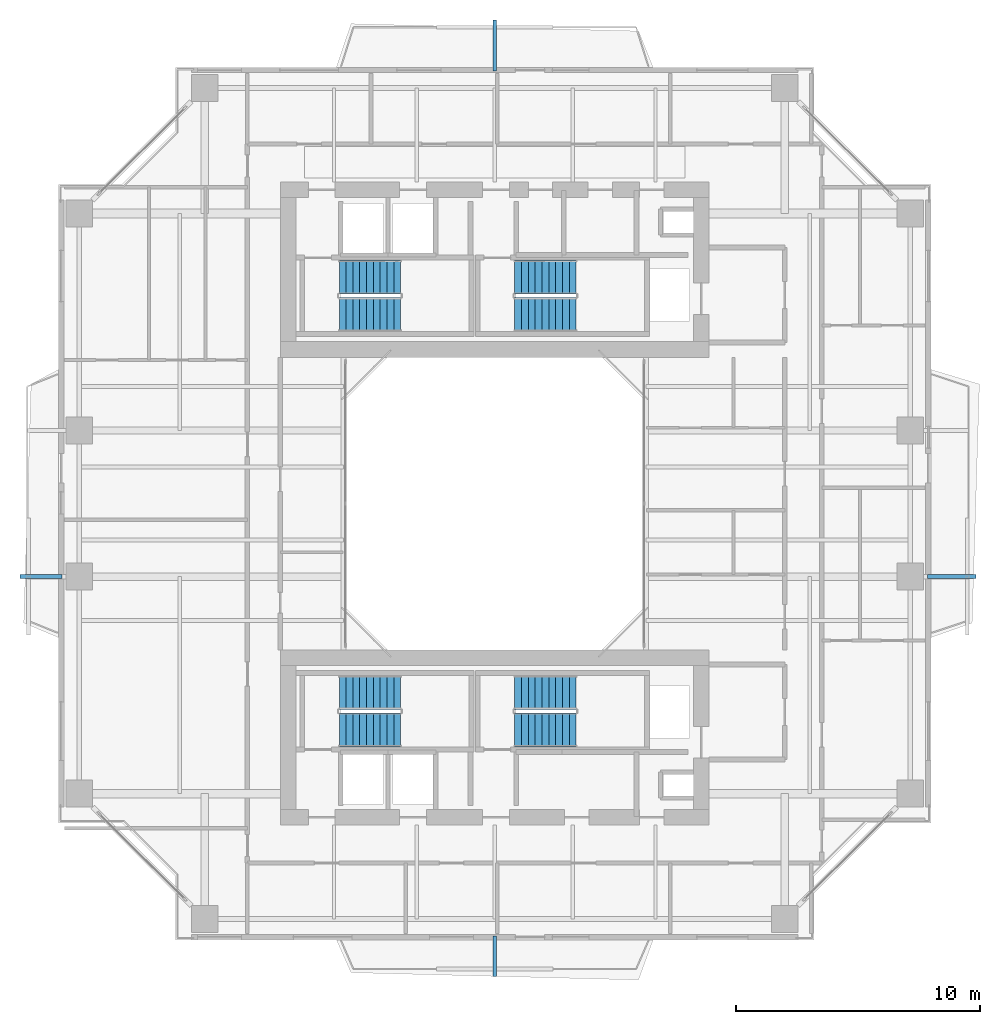
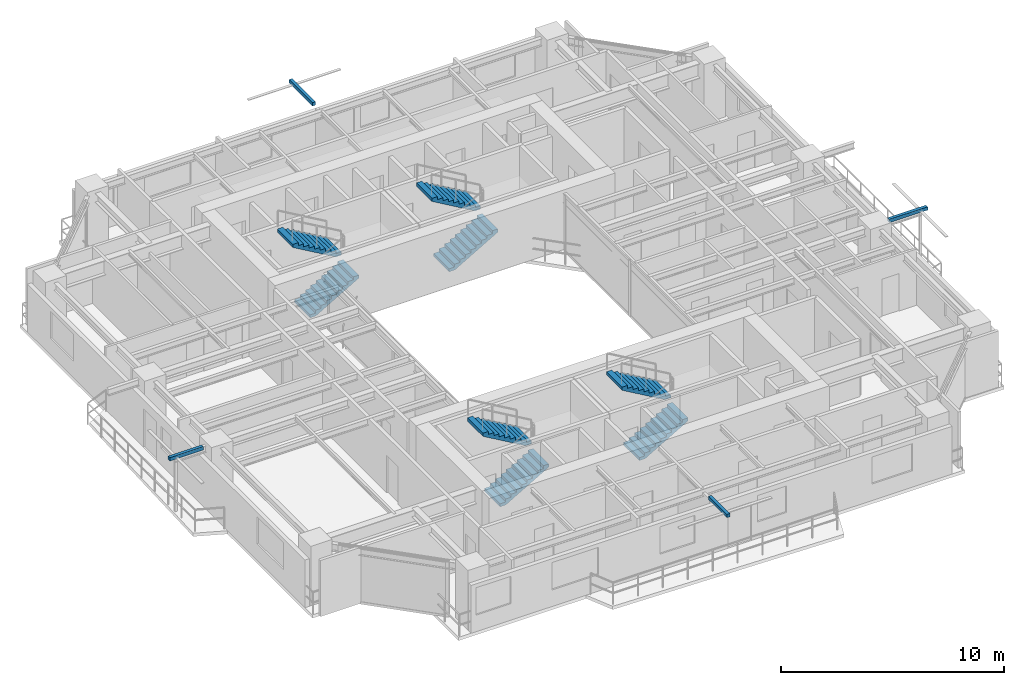
# One storey, part 14 of 17: 8 stair flights, 4 discrete accessories, 4 elements without a shape of their own.
"""IFC4 building model written with IfcOpenShell, lengths in metres."""

from ifc_helpers import new_model, si_unit, direction, frame, origin, origin_2d, place, context, subcontext, project, spatial, polyline, rectangle, outline, extrude, source, transform, mapped, material, type_object, element, aggregate, save


model = new_model("IFC4")

# Units and contexts
model_context = context("Model", 3, precision=1e-05, world=origin(), true_north=direction((0.0, 1.0)))
body_context = subcontext(model_context, "Body", "Model", "MODEL_VIEW")
ifc_project = project(units=[si_unit("LENGTHUNIT", "METRE"), si_unit("AREAUNIT", "SQUARE_METRE"), si_unit("VOLUMEUNIT", "CUBIC_METRE"), si_unit("PLANEANGLEUNIT", "RADIAN"), si_unit("MASSUNIT", "GRAM", prefix="KILO"), si_unit("THERMODYNAMICTEMPERATUREUNIT", "KELVIN"), si_unit("POWERUNIT", "WATT")], contexts=[model_context])

# Site, building, storey
site_placement = place(None, origin())
site = spatial("IfcSite", under=ifc_project, at=site_placement, CompositionType="ELEMENT")
building_placement = place(site_placement, origin())
building = spatial("IfcBuilding", under=site, at=building_placement, Name="Qiaomeng Ring Towers", CompositionType="ELEMENT")
storey_placement = place(building_placement, frame((0.0, 0.0, 116.5)))
storey = spatial("IfcBuildingStorey", under=building, at=storey_placement, Name="L33", CompositionType="ELEMENT", Elevation=116.5)

# Stair, stair flights
ifc_material_1 = material(Name="Precast concrete C40", Category="concrete")
stair_type = type_object("IfcStairType", Name="ARC-ST-325", PredefinedType="HALF_TURN_STAIR", material=ifc_material_1)
stair_1_placement = place(storey_placement, origin())
stair_1 = element("IfcStair", 1, at=stair_1_placement, inside=storey, type_object=stair_type, Name="L33 Tower 1 North Stair 1", PredefinedType="HALF_TURN_STAIR")
stair_flight_type = type_object("IfcStairFlightType", Name="ARC-ST-325-FL", PredefinedType="STRAIGHT", material=ifc_material_1)
shared_shape_1 = source(origin(), body_context, "Body", "SweptSolid", [
    extrude(outline(polyline([(0.0, 0.0), (0.0, 0.16259765625), (0.280029296875, 0.16259765625), (0.280029296875, 0.324951171875), (0.56005859375, 0.324951171875), (0.56005859375, 0.487548828125), (0.840087890625, 0.487548828125), (0.840087890625, 0.64990234375), (1.1201171875, 0.64990234375), (1.1201171875, 0.8125), (1.39990234375, 0.8125), (1.39990234375, 0.97509765625), (1.679931640625, 0.97509765625), (1.679931640625, 1.137451171875), (1.9599609375, 1.137451171875), (1.9599609375, 1.300048828125), (2.239990234375, 1.300048828125), (2.239990234375, 1.46240234375), (2.52001953125, 1.46240234375), (2.52001953125, 1.625), (2.52001953125, 1.2890625), (0.298583984375, 0.0), (0.0, 0.0)])), frame((0.0, 0.699951171875, 0.0), z_axis=(0.0, -1.0, 0.0), x_axis=(1.0, 0.0, 0.0)), (0.0, 0.0, 1.0), 1.39990234375),
])
stair_flight_1_placement = place(storey_placement, frame((12.6201171875, 30.75, 0.0), z_axis=(0.0, 0.0, 1.0), x_axis=(1.0, 0.0, 0.0)))
stair_flight_1 = element("IfcStairFlight", 2, at=stair_flight_1_placement, type_object=stair_flight_type, Name="ST1 flight 1", NumberOfRisers=10, NumberOfTreads=9, PredefinedType="STRAIGHT", RiserHeight=0.1625, TreadLength=0.28, context=body_context, shape_type="MappedRepresentation", body=[
    mapped(shared_shape_1, transform((0.0, 0.0, 0.0), x_axis=(1.0, 0.0, 0.0), y_axis=(0.0, 1.0, 0.0), z_axis=(0.0, 0.0, 1.0), scale=1.0)),
])
stair_flight_2_placement = place(storey_placement, frame((15.139892578125, 32.2900390625, 1.625), z_axis=(0.0, 0.0, 1.0), x_axis=(-1.0, 0.0, 0.0)))
stair_flight_2 = element("IfcStairFlight", 3, at=stair_flight_2_placement, type_object=stair_flight_type, Name="ST1 flight 2", NumberOfRisers=10, NumberOfTreads=9, PredefinedType="STRAIGHT", RiserHeight=0.1625, TreadLength=0.28, context=body_context, shape_type="MappedRepresentation", body=[
    mapped(shared_shape_1, transform((0.0, 0.0, 0.0), x_axis=(1.0, 0.0, 0.0), y_axis=(0.0, 1.0, 0.0), z_axis=(0.0, 0.0, 1.0), scale=1.0)),
])
aggregate(stair_1, [stair_flight_1, stair_flight_2])

stair_2_placement = place(storey_placement, origin())
stair_2 = element("IfcStair", 4, at=stair_2_placement, inside=storey, type_object=stair_type, Name="L33 Tower 1 North Stair 2", PredefinedType="HALF_TURN_STAIR")
stair_flight_3_placement = place(storey_placement, frame((19.820068359375, 30.75, 0.0), z_axis=(0.0, 0.0, 1.0), x_axis=(1.0, 0.0, 0.0)))
stair_flight_3 = element("IfcStairFlight", 5, at=stair_flight_3_placement, type_object=stair_flight_type, Name="ST2 flight 1", NumberOfRisers=10, NumberOfTreads=9, PredefinedType="STRAIGHT", RiserHeight=0.1625, TreadLength=0.28, context=body_context, shape_type="MappedRepresentation", body=[
    mapped(shared_shape_1, transform((0.0, 0.0, 0.0), x_axis=(1.0, 0.0, 0.0), y_axis=(0.0, 1.0, 0.0), z_axis=(0.0, 0.0, 1.0), scale=1.0)),
])
stair_flight_4_placement = place(storey_placement, frame((22.340087890625, 32.2900390625, 1.625), z_axis=(0.0, 0.0, 1.0), x_axis=(-1.0, 0.0, 0.0)))
stair_flight_4 = element("IfcStairFlight", 6, at=stair_flight_4_placement, type_object=stair_flight_type, Name="ST2 flight 2", NumberOfRisers=10, NumberOfTreads=9, PredefinedType="STRAIGHT", RiserHeight=0.1625, TreadLength=0.28, context=body_context, shape_type="MappedRepresentation", body=[
    mapped(shared_shape_1, transform((0.0, 0.0, 0.0), x_axis=(1.0, 0.0, 0.0), y_axis=(0.0, 1.0, 0.0), z_axis=(0.0, 0.0, 1.0), scale=1.0)),
])
aggregate(stair_2, [stair_flight_3, stair_flight_4])

stair_3_placement = place(storey_placement, origin())
stair_3 = element("IfcStair", 7, at=stair_3_placement, inside=storey, type_object=stair_type, Name="L33 Tower 1 South Stair 3", PredefinedType="HALF_TURN_STAIR")
stair_flight_5_placement = place(storey_placement, frame((12.6201171875, 13.7099609375, 0.0), z_axis=(0.0, 0.0, 1.0), x_axis=(1.0, 0.0, 0.0)))
stair_flight_5 = element("IfcStairFlight", 8, at=stair_flight_5_placement, type_object=stair_flight_type, Name="ST3 flight 1", NumberOfRisers=10, NumberOfTreads=9, PredefinedType="STRAIGHT", RiserHeight=0.1625, TreadLength=0.28, context=body_context, shape_type="MappedRepresentation", body=[
    mapped(shared_shape_1, transform((0.0, 0.0, 0.0), x_axis=(1.0, 0.0, 0.0), y_axis=(0.0, 1.0, 0.0), z_axis=(0.0, 0.0, 1.0), scale=1.0)),
])
stair_flight_6_placement = place(storey_placement, frame((15.139892578125, 15.25, 1.625), z_axis=(0.0, 0.0, 1.0), x_axis=(-1.0, 0.0, 0.0)))
stair_flight_6 = element("IfcStairFlight", 9, at=stair_flight_6_placement, type_object=stair_flight_type, Name="ST3 flight 2", NumberOfRisers=10, NumberOfTreads=9, PredefinedType="STRAIGHT", RiserHeight=0.1625, TreadLength=0.28, context=body_context, shape_type="MappedRepresentation", body=[
    mapped(shared_shape_1, transform((0.0, 0.0, 0.0), x_axis=(1.0, 0.0, 0.0), y_axis=(0.0, 1.0, 0.0), z_axis=(0.0, 0.0, 1.0), scale=1.0)),
])
aggregate(stair_3, [stair_flight_5, stair_flight_6])

stair_4_placement = place(storey_placement, origin())
stair_4 = element("IfcStair", 10, at=stair_4_placement, inside=storey, type_object=stair_type, Name="L33 Tower 1 South Stair 4", PredefinedType="HALF_TURN_STAIR")
stair_flight_7_placement = place(storey_placement, frame((19.820068359375, 13.7099609375, 0.0), z_axis=(0.0, 0.0, 1.0), x_axis=(1.0, 0.0, 0.0)))
stair_flight_7 = element("IfcStairFlight", 11, at=stair_flight_7_placement, type_object=stair_flight_type, Name="ST4 flight 1", NumberOfRisers=10, NumberOfTreads=9, PredefinedType="STRAIGHT", RiserHeight=0.1625, TreadLength=0.28, context=body_context, shape_type="MappedRepresentation", body=[
    mapped(shared_shape_1, transform((0.0, 0.0, 0.0), x_axis=(1.0, 0.0, 0.0), y_axis=(0.0, 1.0, 0.0), z_axis=(0.0, 0.0, 1.0), scale=1.0)),
])
stair_flight_8_placement = place(storey_placement, frame((22.340087890625, 15.25, 1.625), z_axis=(0.0, 0.0, 1.0), x_axis=(-1.0, 0.0, 0.0)))
stair_flight_8 = element("IfcStairFlight", 12, at=stair_flight_8_placement, type_object=stair_flight_type, Name="ST4 flight 2", NumberOfRisers=10, NumberOfTreads=9, PredefinedType="STRAIGHT", RiserHeight=0.1625, TreadLength=0.28, context=body_context, shape_type="MappedRepresentation", body=[
    mapped(shared_shape_1, transform((0.0, 0.0, 0.0), x_axis=(1.0, 0.0, 0.0), y_axis=(0.0, 1.0, 0.0), z_axis=(0.0, 0.0, 1.0), scale=1.0)),
])
aggregate(stair_4, [stair_flight_7, stair_flight_8])

# Discrete accessories
ifc_material_2 = material(Name="Stainless steel 316", Category="steel")
discrete_accessory_type = type_object("IfcDiscreteAccessoryType", Name="ARC-ACC-BRACKET", PredefinedType="BRACKET", material=ifc_material_2)
shared_shape_2 = source(origin(), body_context, "Body", "SweptSolid", [
    extrude(rectangle(XDim=0.159912109375, YDim=1.64990234375, at=origin_2d()), origin(), (0.0, 0.0, 1.0), 0.179931640625),
])
discrete_accessory_1_placement = place(storey_placement, frame((19.0, 4.425048828125, 2.89990234375), z_axis=(0.0, 0.0, 1.0), x_axis=(1.0, 0.0, 0.0)))
element("IfcDiscreteAccessory", 13, at=discrete_accessory_1_placement, inside=storey, type_object=discrete_accessory_type, Name="L33 Stainless Outer-Skin Tie Bracket S", PredefinedType="BRACKET", context=body_context, shape_type="MappedRepresentation", body=[
    mapped(shared_shape_2, transform((0.0, 0.0, 0.0), x_axis=(1.0, 0.0, 0.0), y_axis=(0.0, 1.0, 0.0), z_axis=(0.0, 0.0, 1.0), scale=1.0)),
])
shared_shape_3 = source(origin(), body_context, "Body", "SweptSolid", [
    extrude(rectangle(XDim=1.989990234375, YDim=0.159912109375, at=origin_2d()), origin(), (0.0, 0.0, 1.0), 0.179931640625),
])
discrete_accessory_2_placement = place(storey_placement, frame((37.7451171875, 20.0, 2.89990234375), z_axis=(0.0, 0.0, 1.0), x_axis=(1.0, 0.0, 0.0)))
element("IfcDiscreteAccessory", 14, at=discrete_accessory_2_placement, inside=storey, type_object=discrete_accessory_type, Name="L33 Stainless Outer-Skin Tie Bracket E", PredefinedType="BRACKET", context=body_context, shape_type="MappedRepresentation", body=[
    mapped(shared_shape_3, transform((0.0, 0.0, 0.0), x_axis=(1.0, 0.0, 0.0), y_axis=(0.0, 1.0, 0.0), z_axis=(0.0, 0.0, 1.0), scale=1.0)),
])
shared_shape_4 = source(origin(), body_context, "Body", "SweptSolid", [
    extrude(rectangle(XDim=0.159912109375, YDim=2.090087890625, at=origin_2d()), origin(), (0.0, 0.0, 1.0), 0.179931640625),
])
discrete_accessory_3_placement = place(storey_placement, frame((19.0, 41.794921875, 2.89990234375), z_axis=(0.0, 0.0, 1.0), x_axis=(1.0, 0.0, 0.0)))
element("IfcDiscreteAccessory", 15, at=discrete_accessory_3_placement, inside=storey, type_object=discrete_accessory_type, Name="L33 Stainless Outer-Skin Tie Bracket N", PredefinedType="BRACKET", context=body_context, shape_type="MappedRepresentation", body=[
    mapped(shared_shape_4, transform((0.0, 0.0, 0.0), x_axis=(1.0, 0.0, 0.0), y_axis=(0.0, 1.0, 0.0), z_axis=(0.0, 0.0, 1.0), scale=1.0)),
])
shared_shape_5 = source(origin(), body_context, "Body", "SweptSolid", [
    extrude(rectangle(XDim=1.72998046875, YDim=0.159912109375, at=origin_2d()), origin(), (0.0, 0.0, 1.0), 0.179931640625),
])
discrete_accessory_4_placement = place(storey_placement, frame((0.385009765625, 20.0, 2.89990234375), z_axis=(0.0, 0.0, 1.0), x_axis=(1.0, 0.0, 0.0)))
element("IfcDiscreteAccessory", 16, at=discrete_accessory_4_placement, inside=storey, type_object=discrete_accessory_type, Name="L33 Stainless Outer-Skin Tie Bracket W", PredefinedType="BRACKET", context=body_context, shape_type="MappedRepresentation", body=[
    mapped(shared_shape_5, transform((0.0, 0.0, 0.0), x_axis=(1.0, 0.0, 0.0), y_axis=(0.0, 1.0, 0.0), z_axis=(0.0, 0.0, 1.0), scale=1.0)),
])

save(model, "model.ifc")
